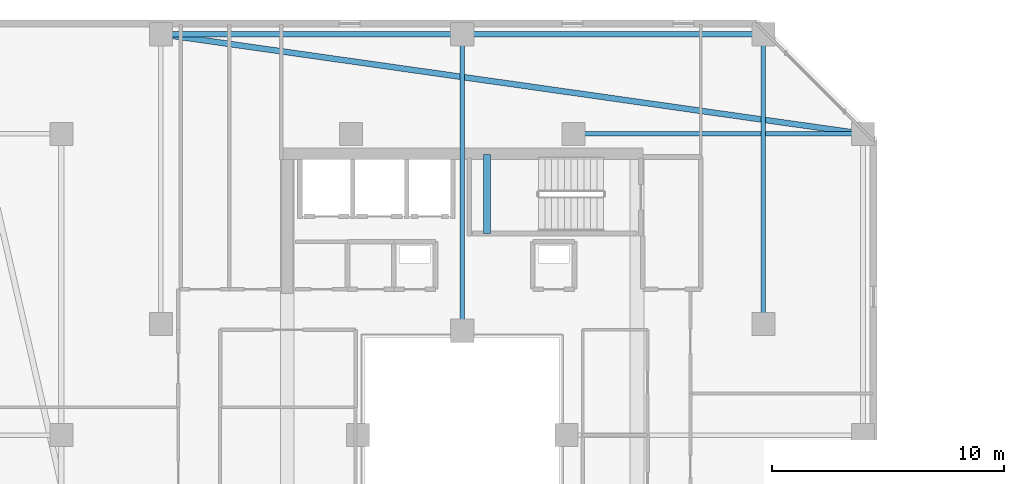
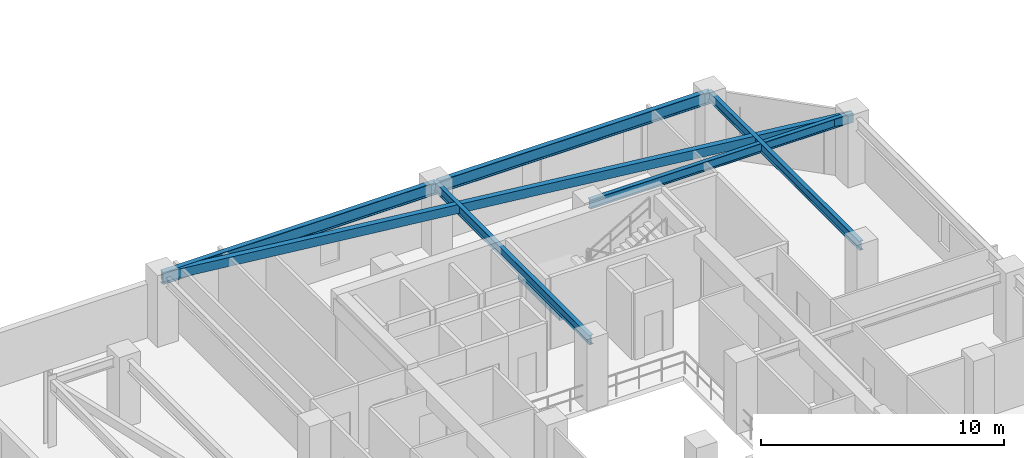
# One storey, part 8 of 32: 7 beams.
"""IFC4 building model written with IfcOpenShell, lengths in metres."""

from ifc_helpers import new_model, si_unit, direction, frame, origin, origin_2d, place, context, subcontext, project, spatial, rectangle, hollow_rectangle, i_section, extrude, material, material_profile, profile_set, type_object, element, save


model = new_model("IFC4")

# Units and contexts
model_context = context("Model", 3, precision=1e-05, world=origin(), true_north=direction((0.0, 1.0)))
body_context = subcontext(model_context, "Body", "Model", "MODEL_VIEW")
ifc_project = project(units=[si_unit("LENGTHUNIT", "METRE"), si_unit("AREAUNIT", "SQUARE_METRE"), si_unit("VOLUMEUNIT", "CUBIC_METRE"), si_unit("PLANEANGLEUNIT", "RADIAN"), si_unit("MASSUNIT", "GRAM", prefix="KILO")], contexts=[model_context])

# Site, building, storey
site_placement = place(None, origin())
site = spatial("IfcSite", under=ifc_project, at=site_placement, CompositionType="ELEMENT")
building_placement = place(site_placement, origin())
building = spatial("IfcBuilding", under=site, at=building_placement, Name="Thornwick Lancets Civic Towers", CompositionType="ELEMENT")
storey_placement = place(building_placement, frame((0.0, 0.0, 243.89990234375)))
storey = spatial("IfcBuildingStorey", under=building, at=storey_placement, Name="L65", CompositionType="ELEMENT", Elevation=243.89990234375)

# Beams
ifc_material_1 = material(Name="Steel S355JR", Category="steel")
ifc_material_profile_1 = material_profile(ifc_material_1, i_section(OverallWidth=0.230224609375, OverallDepth=0.6171875, WebThickness=0.01318359375, FlangeThickness=0.022216796875, FilletRadius=0.0126953125, at=origin_2d()), Name="UKB 610x229x140")
ifc_profile_set_1 = profile_set([ifc_material_profile_1], Name="Steel S355JR")
beam_type_1 = type_object("IfcBeamType", Name="BM_GIRD_610_140", PredefinedType="BEAM", material=ifc_profile_set_1)
beam_1_placement = place(storey_placement, frame((12.5, 44.300048828125, 3.051513671875), z_axis=(1.0, 0.0, 0.0), x_axis=(0.0, 1.0, 0.0)))
element("IfcBeam", 1, at=beam_1_placement, inside=storey, type_object=beam_type_1, Name="BM-SPINE-L65-A-6-7", PredefinedType="BEAM", context=body_context, shape_type="SweptSolid", body=[
    extrude(i_section(OverallWidth=0.230224609375, OverallDepth=0.6171875, WebThickness=0.01318359375, FlangeThickness=0.022216796875, FilletRadius=0.0126953125, at=origin_2d()), origin(), (0.0, 0.0, 1.0), 13.0),
])
beam_2_placement = place(storey_placement, frame((25.580078125, 44.300048828125, 3.051513671875), z_axis=(1.0, 0.0, 0.0), x_axis=(0.0, 1.0, 0.0)))
element("IfcBeam", 2, at=beam_2_placement, inside=storey, type_object=beam_type_1, Name="BM-SPINE-L65-A-7-8", PredefinedType="BEAM", context=body_context, shape_type="SweptSolid", body=[
    extrude(i_section(OverallWidth=0.230224609375, OverallDepth=0.6171875, WebThickness=0.01318359375, FlangeThickness=0.022216796875, FilletRadius=0.0126953125, at=origin_2d()), origin(), (0.0, 0.0, 1.0), 12.919921875),
])
ifc_material_profile_2 = material_profile(ifc_material_1, i_section(OverallWidth=0.19287109375, OverallDepth=0.46728515625, WebThickness=0.011474609375, FlangeThickness=0.01953125, FilletRadius=0.01025390625, at=origin_2d()), Name="UKB 457x191x98")
ifc_profile_set_2 = profile_set([ifc_material_profile_2], Name="Steel S355JR")
beam_type_2 = type_object("IfcBeamType", Name="BM_JOIST_457_98", PredefinedType="JOIST", material=ifc_profile_set_2)
beam_3_placement = place(storey_placement, frame((30.300048828125, 40.0, 3.12646484375), z_axis=(1.0, 0.0, 0.0), x_axis=(0.0, 1.0, 0.0)))
element("IfcBeam", 3, at=beam_3_placement, inside=storey, type_object=beam_type_2, Name="BM-RADIN-L65-A06", PredefinedType="JOIST", context=body_context, shape_type="SweptSolid", body=[
    extrude(i_section(OverallWidth=0.19287109375, OverallDepth=0.46728515625, WebThickness=0.011474609375, FlangeThickness=0.01953125, FilletRadius=0.01025390625, at=origin_2d()), origin(), (0.0, 0.0, 1.0), 12.5),
])
beam_4_placement = place(storey_placement, frame((25.5, 31.5, 3.12646484375), z_axis=(0.0, 1.0, 0.0), x_axis=(-1.0, 0.0, 0.0)))
element("IfcBeam", 4, at=beam_4_placement, inside=storey, type_object=beam_type_2, Name="BM-RADIN-L65-A08", PredefinedType="JOIST", context=body_context, shape_type="SweptSolid", body=[
    extrude(i_section(OverallWidth=0.19287109375, OverallDepth=0.46728515625, WebThickness=0.011474609375, FlangeThickness=0.01953125, FilletRadius=0.01025390625, at=origin_2d()), origin(), (0.0, 0.0, 1.0), 12.800048828125),
])
beam_5_placement = place(storey_placement, frame((38.5, 31.800048828125, 3.12646484375), z_axis=(0.0, 1.0, 0.0), x_axis=(-1.0, 0.0, 0.0)))
element("IfcBeam", 5, at=beam_5_placement, inside=storey, type_object=beam_type_2, Name="BM-RADIN-L65-A09", PredefinedType="JOIST", context=body_context, shape_type="SweptSolid", body=[
    extrude(i_section(OverallWidth=0.19287109375, OverallDepth=0.46728515625, WebThickness=0.011474609375, FlangeThickness=0.01953125, FilletRadius=0.01025390625, at=origin_2d()), origin(), (0.0, 0.0, 1.0), 12.5),
])
ifc_material_profile_3 = material_profile(ifc_material_1, hollow_rectangle(XDim=0.25, YDim=0.449951171875, WallThickness=0.01611328125, at=origin_2d()), Name="RHS 450x250x16")
ifc_profile_set_3 = profile_set([ifc_material_profile_3], Name="Steel S355JR")
beam_type_3 = type_object("IfcBeamType", Name="BM_RING_RHS450", PredefinedType="BEAM", material=ifc_profile_set_3)
beam_6_placement = place(storey_placement, frame((42.800048828125, 40.0, 3.135009765625), z_axis=(-0.990079584012, 0.140507712682, 0.0), x_axis=(-0.140507712682, -0.990079584012, 0.0)))
element("IfcBeam", 6, at=beam_6_placement, inside=storey, type_object=beam_type_3, Name="BM-CHAMF-L65-A-C1", PredefinedType="BEAM", context=body_context, shape_type="SweptSolid", body=[
    extrude(hollow_rectangle(XDim=0.25, YDim=0.449951171875, WallThickness=0.01611328125, at=origin_2d()), origin(), (0.0, 0.0, 1.0), 30.603759765625),
])
ifc_material_2 = material(Name="Concrete C40/50", Category="concrete")
ifc_material_profile_4 = material_profile(ifc_material_2, rectangle(XDim=0.300048828125, YDim=0.35009765625, at=origin_2d()), Name="RC 300x350")
ifc_profile_set_4 = profile_set([ifc_material_profile_4], Name="Concrete C40/50")
beam_type_4 = type_object("IfcBeamType", Name="BM_STAIR_LDG", PredefinedType="BEAM", material=ifc_profile_set_4)
beam_7_placement = place(storey_placement, frame((26.56494140625, 39.10009765625, 1.378173828125), z_axis=(0.0, -1.0, 0.0), x_axis=(1.0, 0.0, 0.0)))
element("IfcBeam", 7, at=beam_7_placement, inside=storey, type_object=beam_type_4, Name="L65 ST-A2 Landing Support Beam 1", PredefinedType="BEAM", context=body_context, shape_type="SweptSolid", body=[
    extrude(rectangle(XDim=0.300048828125, YDim=0.35009765625, at=origin_2d()), origin(), (0.0, 0.0, 1.0), 3.400146484375),
])

save(model, "model.ifc")
